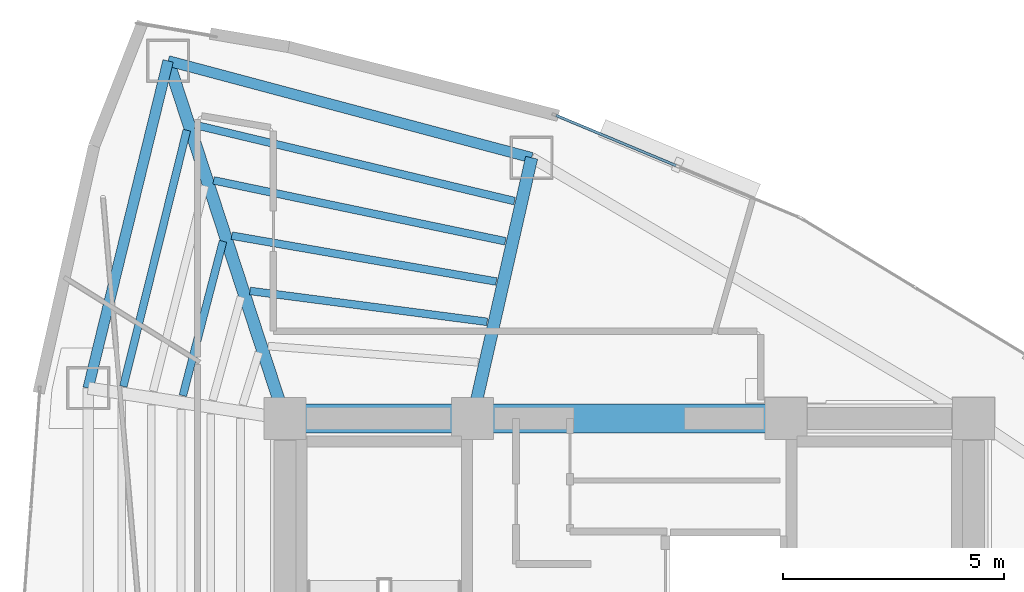
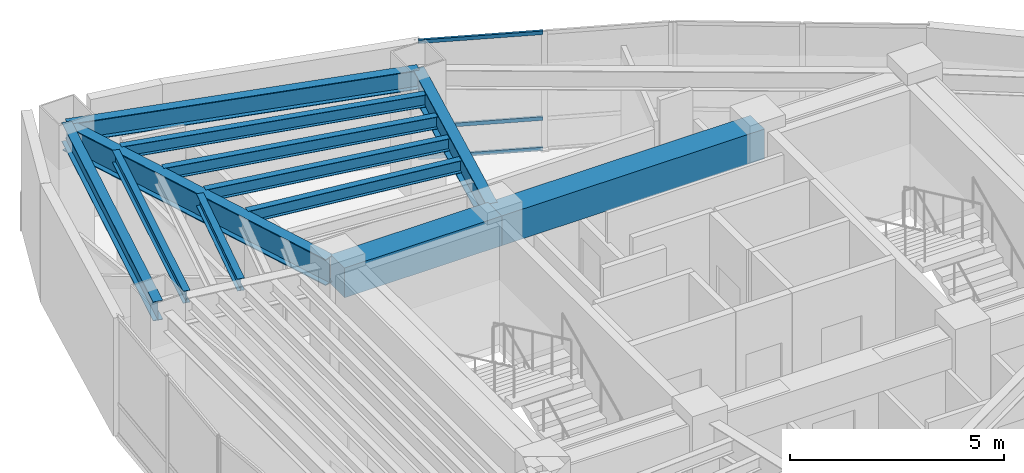
# One storey, part 8 of 16: 12 beams, 3 members, 1 element without a shape of its own.
"""IFC4 building model written with IfcOpenShell, lengths in metres."""

from ifc_helpers import new_model, si_unit, direction, frame, origin, origin_2d, place, context, subcontext, project, spatial, rectangle, hollow_rectangle, i_section, extrude, material, layer, layer_set, material_profile, profile_set, type_object, element, aggregate, save


model = new_model("IFC4")

# Units and contexts
model_context = context("Model", 3, precision=1e-05, world=origin(), true_north=direction((0.0, 1.0)))
body_context = subcontext(model_context, "Body", "Model", "MODEL_VIEW")
ifc_project = project(units=[si_unit("LENGTHUNIT", "METRE"), si_unit("AREAUNIT", "SQUARE_METRE"), si_unit("VOLUMEUNIT", "CUBIC_METRE"), si_unit("PLANEANGLEUNIT", "RADIAN"), si_unit("MASSUNIT", "GRAM", prefix="KILO")], contexts=[model_context])

# Site, building, storey
site_placement = place(None, origin())
site = spatial("IfcSite", under=ifc_project, at=site_placement, CompositionType="ELEMENT")
building_placement = place(site_placement, origin())
building = spatial("IfcBuilding", under=site, at=building_placement, Name="Menara Vayukalpa", CompositionType="ELEMENT")
storey_placement = place(building_placement, frame((0.0, 0.0, 210.1201171875)))
storey = spatial("IfcBuildingStorey", under=building, at=storey_placement, Name="L53", CompositionType="ELEMENT", Elevation=210.1201171875)

# Beams
ifc_material_1 = material(Name="Concrete C60/75", Category="concrete")
ifc_material_profile_1 = material_profile(ifc_material_1, rectangle(XDim=0.64990234375, YDim=0.85009765625, at=origin_2d()), Name="RC 650x850")
ifc_profile_set_1 = profile_set([ifc_material_profile_1], Name="Concrete C60/75")
beam_type_1 = type_object("IfcBeamType", Name="BM-CB1", PredefinedType="BEAM", material=ifc_profile_set_1)
beam_1_placement = place(storey_placement, frame((17.800048828125, 26.800048828125, 2.954833984375), z_axis=(1.0, 0.0, 0.0), x_axis=(0.0, 1.0, 0.0)))
element("IfcBeam", 1, at=beam_1_placement, inside=storey, type_object=beam_type_1, Name="L53 Core Tie Beam CBR4", PredefinedType="BEAM", context=body_context, shape_type="SweptSolid", body=[
    extrude(rectangle(XDim=0.64990234375, YDim=0.85009765625, at=origin_2d()), origin(), (0.0, 0.0, 1.0), 4.25),
])
beam_2_placement = place(storey_placement, frame((22.050048828125, 26.800048828125, 2.954833984375), z_axis=(1.0, 0.0, 0.0), x_axis=(0.0, 1.0, 0.0)))
element("IfcBeam", 2, at=beam_2_placement, inside=storey, type_object=beam_type_1, Name="L53 Core Tie Beam CBR5", PredefinedType="BEAM", context=body_context, shape_type="SweptSolid", body=[
    extrude(rectangle(XDim=0.64990234375, YDim=0.85009765625, at=origin_2d()), origin(), (0.0, 0.0, 1.0), 7.099853515625),
])
ifc_material_2 = material(Name="Steel S355", Category="steel")
ifc_material_profile_2 = material_profile(ifc_material_2, i_section(OverallWidth=0.280029296875, OverallDepth=0.75, WebThickness=0.013916015625, FlangeThickness=0.02490234375, at=origin_2d()), Name="WF 750x280x14x25")
ifc_profile_set_2 = profile_set([ifc_material_profile_2], Name="Steel S355")
beam_type_2 = type_object("IfcBeamType", Name="BM-PG4", PredefinedType="BEAM", material=ifc_profile_set_2)
beam_3_placement = place(storey_placement, frame((22.105224609375, 27.043701171875, 3.0048828125), z_axis=(0.221085149161, 0.975254508741, 0.0), x_axis=(-0.975254508741, 0.221085149161, 0.0)))
element("IfcBeam", 3, at=beam_3_placement, inside=storey, type_object=beam_type_2, Name="L53 Primary Radial Girder RG03", PredefinedType="BEAM", context=body_context, shape_type="SweptSolid", body=[
    extrude(i_section(OverallWidth=0.280029296875, OverallDepth=0.75, WebThickness=0.013916015625, FlangeThickness=0.02490234375, at=origin_2d()), origin(), (0.0, 0.0, 1.0), 5.80859375),
])
beam_4_placement = place(storey_placement, frame((17.722412109375, 27.03759765625, 3.0048828125), z_axis=(-0.310343552153, 0.950624468251, 0.0), x_axis=(-0.950624468251, -0.310343552153, 0.0)))
element("IfcBeam", 4, at=beam_4_placement, inside=storey, type_object=beam_type_2, Name="L53 Primary Radial Girder RG04", PredefinedType="BEAM", context=body_context, shape_type="SweptSolid", body=[
    extrude(i_section(OverallWidth=0.280029296875, OverallDepth=0.75, WebThickness=0.013916015625, FlangeThickness=0.02490234375, at=origin_2d()), origin(), (0.0, 0.0, 1.0), 8.2734375),
])
ifc_material_3 = material(Name="Steel S355", Category="steel")
ifc_material_profile_3 = material_profile(ifc_material_3, i_section(OverallWidth=0.175048828125, OverallDepth=0.35009765625, WebThickness=0.007080078125, FlangeThickness=0.010986328125, at=origin_2d()), Name="WF 350x175x7x11")
ifc_profile_set_3 = profile_set([ifc_material_profile_3], Name="Steel S355")
beam_type_3 = type_object("IfcBeamType", Name="BM-SJ3", PredefinedType="JOIST", material=ifc_profile_set_3)
beam_5_placement = place(storey_placement, frame((22.38330078125, 28.990478515625, 3.204833984375), z_axis=(-0.99161070493, 0.129260240866, 0.0), x_axis=(-0.129260240866, -0.99161070493, 0.0)))
element("IfcBeam", 5, at=beam_5_placement, inside=storey, type_object=beam_type_3, Name="L53 Secondary Floor Joist SJ03-2", PredefinedType="JOIST", context=body_context, shape_type="SweptSolid", body=[
    extrude(i_section(OverallWidth=0.175048828125, OverallDepth=0.35009765625, WebThickness=0.007080078125, FlangeThickness=0.010986328125, at=origin_2d()), origin(), (0.0, 0.0, 1.0), 5.420654296875),
])
beam_6_placement = place(storey_placement, frame((22.589599609375, 29.9033203125, 3.204833984375), z_axis=(-0.985288833054, 0.170897382832, 0.0), x_axis=(-0.170897382832, -0.985288833054, 0.0)))
element("IfcBeam", 6, at=beam_6_placement, inside=storey, type_object=beam_type_3, Name="L53 Secondary Floor Joist SJ03-3", PredefinedType="JOIST", context=body_context, shape_type="SweptSolid", body=[
    extrude(i_section(OverallWidth=0.175048828125, OverallDepth=0.35009765625, WebThickness=0.007080078125, FlangeThickness=0.010986328125, at=origin_2d()), origin(), (0.0, 0.0, 1.0), 6.0830078125),
])
beam_7_placement = place(storey_placement, frame((22.796142578125, 30.815185546875, 3.204833984375), z_axis=(-0.97888709748, 0.204401688806, 0.0), x_axis=(-0.204401688806, -0.97888709748, 0.0)))
element("IfcBeam", 7, at=beam_7_placement, inside=storey, type_object=beam_type_3, Name="L53 Secondary Floor Joist SJ03-4", PredefinedType="JOIST", context=body_context, shape_type="SweptSolid", body=[
    extrude(i_section(OverallWidth=0.175048828125, OverallDepth=0.35009765625, WebThickness=0.007080078125, FlangeThickness=0.010986328125, at=origin_2d()), origin(), (0.0, 0.0, 1.0), 6.75439453125),
])
beam_8_placement = place(storey_placement, frame((23.002685546875, 31.725830078125, 3.204833984375), z_axis=(-0.972731800574, 0.231932844055, 0.0), x_axis=(-0.231932844055, -0.972731800574, 0.0)))
element("IfcBeam", 8, at=beam_8_placement, inside=storey, type_object=beam_type_3, Name="L53 Secondary Floor Joist SJ03-5", PredefinedType="JOIST", context=body_context, shape_type="SweptSolid", body=[
    extrude(i_section(OverallWidth=0.175048828125, OverallDepth=0.35009765625, WebThickness=0.007080078125, FlangeThickness=0.010986328125, at=origin_2d()), origin(), (0.0, 0.0, 1.0), 7.4326171875),
])
beam_9_placement = place(storey_placement, frame((16.398193359375, 30.815185546875, 3.204833984375), z_axis=(-0.251714869346, -0.967801438597, 0.0), x_axis=(0.967801438597, -0.251714869346, 0.0)))
element("IfcBeam", 9, at=beam_9_placement, inside=storey, type_object=beam_type_3, Name="L53 Secondary Floor Joist SJ04-3", PredefinedType="JOIST", context=body_context, shape_type="SweptSolid", body=[
    extrude(i_section(OverallWidth=0.175048828125, OverallDepth=0.35009765625, WebThickness=0.007080078125, FlangeThickness=0.010986328125, at=origin_2d()), origin(), (0.0, 0.0, 1.0), 3.61279296875),
])
beam_10_placement = place(storey_placement, frame((15.57861328125, 33.33154296875, 3.204833984375), z_axis=(-0.240556182956, -0.970635216156, 0.0), x_axis=(0.970635216156, -0.240556182956, 0.0)))
element("IfcBeam", 10, at=beam_10_placement, inside=storey, type_object=beam_type_3, Name="L53 Secondary Floor Joist SJ04-5", PredefinedType="JOIST", context=body_context, shape_type="SweptSolid", body=[
    extrude(i_section(OverallWidth=0.175048828125, OverallDepth=0.35009765625, WebThickness=0.007080078125, FlangeThickness=0.010986328125, at=origin_2d()), origin(), (0.0, 0.0, 1.0), 5.979736328125),
])
ifc_material_4 = material(Name="Steel S355", Category="steel")
ifc_material_profile_4 = material_profile(ifc_material_4, i_section(OverallWidth=0.239990234375, OverallDepth=0.550048828125, WebThickness=0.010986328125, FlangeThickness=0.01904296875, at=origin_2d()), Name="WF 550x240x11x19")
ifc_profile_set_4 = profile_set([ifc_material_profile_4], Name="Steel S355")
beam_type_4 = type_object("IfcBeamType", Name="BM-SP2", PredefinedType="SPANDREL", material=ifc_profile_set_4)
beam_11_placement = place(storey_placement, frame((23.389404296875, 32.70849609375, 3.10498046875), z_axis=(-0.966287699272, 0.25746472037, 0.0), x_axis=(-0.25746472037, -0.966287699272, 0.0)))
element("IfcBeam", 11, at=beam_11_placement, inside=storey, type_object=beam_type_4, Name="L53 Perimeter Spandrel Beam SP03", PredefinedType="SPANDREL", context=body_context, shape_type="SweptSolid", body=[
    extrude(i_section(OverallWidth=0.239990234375, OverallDepth=0.550048828125, WebThickness=0.010986328125, FlangeThickness=0.01904296875, at=origin_2d()), origin(), (0.0, 0.0, 1.0), 8.52197265625),
])
beam_12_placement = place(storey_placement, frame((15.15478515625, 34.902587890625, 3.10498046875), z_axis=(-0.237285374413, -0.971439988414, 0.0), x_axis=(0.971439988414, -0.237285374413, 0.0)))
element("IfcBeam", 12, at=beam_12_placement, inside=storey, type_object=beam_type_4, Name="L53 Perimeter Spandrel Beam SP04", PredefinedType="SPANDREL", context=body_context, shape_type="SweptSolid", body=[
    extrude(i_section(OverallWidth=0.239990234375, OverallDepth=0.550048828125, WebThickness=0.010986328125, FlangeThickness=0.01904296875, at=origin_2d()), origin(), (0.0, 0.0, 1.0), 7.63134765625),
])

# Curtain wall, members
ifc_material_5 = material(Name="Anodised Terracotta Aluminium Alloy 6063-T6", Category="masonry")
ifc_layer = layer(ifc_material_5, 0.139892578125)
ifc_layer_set = layer_set([ifc_layer], Name="Anodised Terracotta Aluminium Alloy 6063-T6")
curtain_wall_type = type_object("IfcCurtainWallType", Name="CW-CW5", PredefinedType="USERDEFINED", material=ifc_layer_set)
curtain_wall_placement = place(storey_placement, origin())
curtain_wall = element("IfcCurtainWall", 13, at=curtain_wall_placement, inside=storey, type_object=curtain_wall_type, Name="L53 High Rise Tapered Curtain Wall CW5 05", ObjectType="UNITISED", PredefinedType="USERDEFINED")
ifc_material_6 = material(Name="Anodised Terracotta Aluminium Alloy 6063-T6", Category="masonry")
ifc_material_profile_5 = material_profile(ifc_material_6, hollow_rectangle(XDim=0.06005859375, YDim=0.10498046875, WallThickness=0.0029296875, at=origin_2d()), Name="ALU 60x105x3")
ifc_profile_set_5 = profile_set([ifc_material_profile_5], Name="Anodised Terracotta Aluminium Alloy 6063-T6")
member_type = type_object("IfcMemberType", Name="CWT-CW5", PredefinedType="USERDEFINED", material=ifc_profile_set_5)
member_1_placement = place(storey_placement, frame((26.658447265625, 32.530029296875, 0.02978515625), z_axis=(-0.922543360613, 0.385893440976, 0.0), x_axis=(-0.385893440976, -0.922543360613, 0.0)))
member_1 = element("IfcMember", 14, at=member_1_placement, type_object=member_type, Name="CW5 transom 2.1", ObjectType="TRANSOM", PredefinedType="USERDEFINED", context=body_context, shape_type="SweptSolid", body=[
    extrude(hollow_rectangle(XDim=0.06005859375, YDim=0.10498046875, WallThickness=0.0029296875, at=origin_2d()), origin(), (0.0, 0.0, 1.0), 2.942626953125),
])
member_2_placement = place(storey_placement, frame((26.658447265625, 32.530029296875, 0.89990234375), z_axis=(-0.922543360613, 0.385893440976, 0.0), x_axis=(-0.385893440976, -0.922543360613, 0.0)))
member_2 = element("IfcMember", 15, at=member_2_placement, type_object=member_type, Name="CW5 transom 2.2", ObjectType="TRANSOM", PredefinedType="USERDEFINED", context=body_context, shape_type="SweptSolid", body=[
    extrude(hollow_rectangle(XDim=0.06005859375, YDim=0.10498046875, WallThickness=0.0029296875, at=origin_2d()), origin(), (0.0, 0.0, 1.0), 2.942626953125),
])
member_3_placement = place(storey_placement, frame((26.658447265625, 32.530029296875, 3.349853515625), z_axis=(-0.922543360613, 0.385893440976, 0.0), x_axis=(-0.385893440976, -0.922543360613, 0.0)))
member_3 = element("IfcMember", 16, at=member_3_placement, type_object=member_type, Name="CW5 transom 2.3", ObjectType="TRANSOM", PredefinedType="USERDEFINED", context=body_context, shape_type="SweptSolid", body=[
    extrude(hollow_rectangle(XDim=0.06005859375, YDim=0.10498046875, WallThickness=0.0029296875, at=origin_2d()), origin(), (0.0, 0.0, 1.0), 2.942626953125),
])
aggregate(curtain_wall, [member_1, member_2, member_3])

save(model, "model.ifc")
